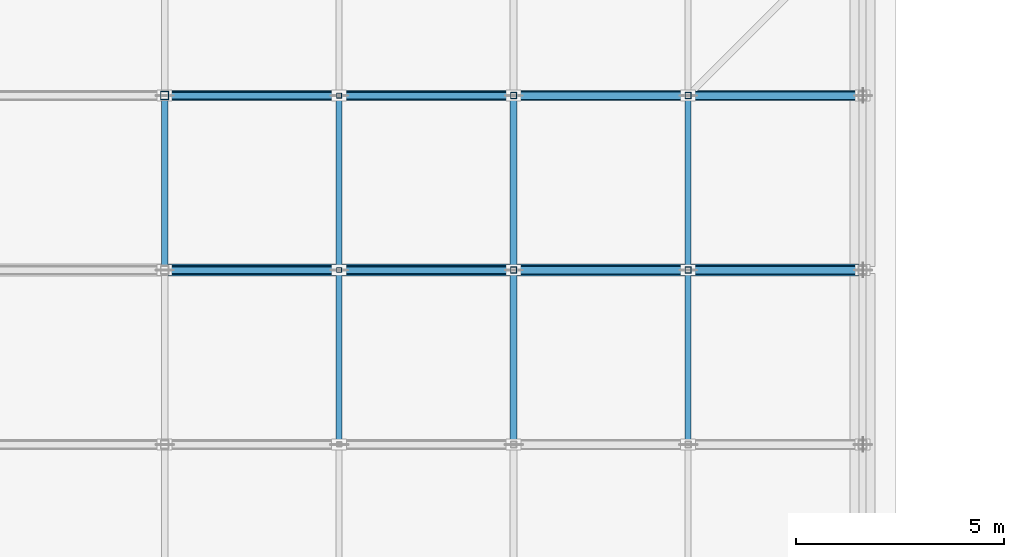
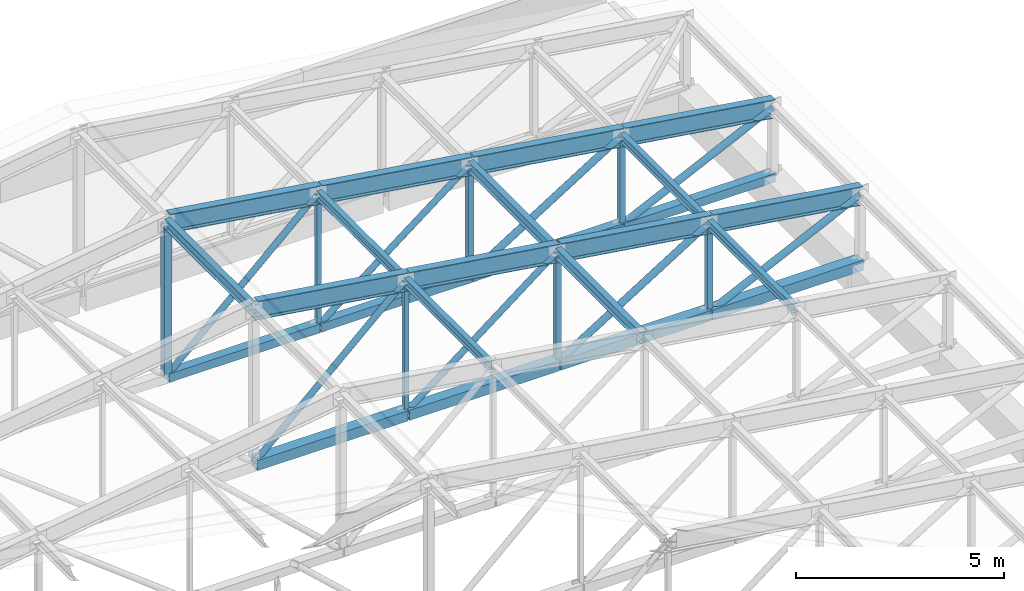
# One storey, part 39 of 122: 38 members.
"""IFC4 building model written with IfcOpenShell, lengths in metres."""

from ifc_helpers import new_model, si_unit, direction, frame, origin, origin_2d, place, context, subcontext, project, spatial, hollow_rectangle, hollow_circle, i_section, extrude, material, material_profile, profile_set, type_object, element, save


model = new_model("IFC4")

# Units and contexts
model_context = context("Model", 3, precision=1e-05, world=origin(), true_north=direction((0.0, 1.0)))
body_context = subcontext(model_context, "Body", "Model", "MODEL_VIEW")
ifc_project = project(units=[si_unit("LENGTHUNIT", "METRE"), si_unit("AREAUNIT", "SQUARE_METRE"), si_unit("VOLUMEUNIT", "CUBIC_METRE"), si_unit("PLANEANGLEUNIT", "RADIAN"), si_unit("MASSUNIT", "GRAM", prefix="KILO")], contexts=[model_context])

# Site, building, storey
site_placement = place(None, origin())
site = spatial("IfcSite", under=ifc_project, at=site_placement, CompositionType="ELEMENT")
building_placement = place(site_placement, origin())
building = spatial("IfcBuilding", under=site, at=building_placement, Name="Telukmera Botanical Conservatory", CompositionType="ELEMENT")
storey_placement = place(building_placement, frame((0.0, 0.0, 10.199951171875)))
storey = spatial("IfcBuildingStorey", under=building, at=storey_placement, Name="L02", CompositionType="ELEMENT", Elevation=10.199951171875)

# Members
ifc_material = material(Name="Steel S355", Category="steel")
ifc_material_profile_1 = material_profile(ifc_material, i_section(OverallWidth=0.210693359375, OverallDepth=0.53955078125, WebThickness=0.01171875, FlangeThickness=0.018798828125, FilletRadius=0.0126953125, at=origin_2d()), Name="UB 533x210x109")
ifc_profile_set_1 = profile_set([ifc_material_profile_1], Name="Steel S355")
member_type_1 = type_object("IfcMemberType", Name="Mem_TC1", PredefinedType="CHORD", material=ifc_profile_set_1)
member_1_placement = place(storey_placement, frame((25.2197265625, 108.39990234375, 4.427734375), z_axis=(0.989022603236, 0.0, -0.147764306545), x_axis=(0.0, 1.0, 0.0)))
element("IfcMember", 1, at=member_1_placement, inside=storey, type_object=member_type_1, Name="Auditorium Pratt Truss Top Chord T7-5", PredefinedType="CHORD", context=body_context, shape_type="SweptSolid", body=[
    extrude(i_section(OverallWidth=0.210693359375, OverallDepth=0.53955078125, WebThickness=0.01171875, FlangeThickness=0.018798828125, FilletRadius=0.0126953125, at=origin_2d()), origin(), (0.0, 0.0, 1.0), 4.20654296875),
])
member_2_placement = place(storey_placement, frame((29.419921875, 108.39990234375, 3.800048828125), z_axis=(0.989021335912, 0.0, -0.147772788805), x_axis=(0.0, 1.0, 0.0)))
element("IfcMember", 2, at=member_2_placement, inside=storey, type_object=member_type_1, Name="Auditorium Pratt Truss Top Chord T7-6", PredefinedType="CHORD", context=body_context, shape_type="SweptSolid", body=[
    extrude(i_section(OverallWidth=0.210693359375, OverallDepth=0.53955078125, WebThickness=0.01171875, FlangeThickness=0.018798828125, FilletRadius=0.0126953125, at=origin_2d()), origin(), (0.0, 0.0, 1.0), 4.206298828125),
])
for number, where, z_axis, x_axis, name in (
    (3, (33.619873046875, 108.39990234375, 3.17236328125), (0.989022603236, 0.0, -0.147764306545), (0.0, 1.0, 0.0), "Auditorium Pratt Truss Top Chord T7-7"),
    (4, (37.81982421875, 108.39990234375, 2.544677734375), (0.989022603236, 0.0, -0.147764306545), (0.0, 1.0, 0.0), "Auditorium Pratt Truss Top Chord T7-8"),
    (5, (25.2197265625, 112.60009765625, 4.427734375), (0.989022603236, 0.0, -0.147764306545), (0.0, 1.0, 0.0), "Auditorium Pratt Truss Top Chord T8-5"),
):
    element("IfcMember", number, at=place(storey_placement, frame(where, z_axis=z_axis, x_axis=x_axis)), inside=storey, type_object=member_type_1, Name=name, PredefinedType="CHORD", context=body_context, shape_type="SweptSolid", body=[
        extrude(i_section(OverallWidth=0.210693359375, OverallDepth=0.53955078125, WebThickness=0.01171875, FlangeThickness=0.018798828125, FilletRadius=0.0126953125, at=origin_2d()), origin(), (0.0, 0.0, 1.0), 4.20654296875),
    ])
member_3_placement = place(storey_placement, frame((29.419921875, 112.60009765625, 3.800048828125), z_axis=(0.989021335912, 0.0, -0.147772788805), x_axis=(0.0, 1.0, 0.0)))
element("IfcMember", 6, at=member_3_placement, inside=storey, type_object=member_type_1, Name="Auditorium Pratt Truss Top Chord T8-6", PredefinedType="CHORD", context=body_context, shape_type="SweptSolid", body=[
    extrude(i_section(OverallWidth=0.210693359375, OverallDepth=0.53955078125, WebThickness=0.01171875, FlangeThickness=0.018798828125, FilletRadius=0.0126953125, at=origin_2d()), origin(), (0.0, 0.0, 1.0), 4.206298828125),
])
for number, where, z_axis, x_axis, name in (
    (7, (33.619873046875, 112.60009765625, 3.17236328125), (0.989022603236, 0.0, -0.147764306545), (0.0, 1.0, 0.0), "Auditorium Pratt Truss Top Chord T8-7"),
    (8, (37.81982421875, 112.60009765625, 2.544677734375), (0.989022603236, 0.0, -0.147764306545), (0.0, 1.0, 0.0), "Auditorium Pratt Truss Top Chord T8-8"),
):
    element("IfcMember", number, at=place(storey_placement, frame(where, z_axis=z_axis, x_axis=x_axis)), inside=storey, type_object=member_type_1, Name=name, PredefinedType="CHORD", context=body_context, shape_type="SweptSolid", body=[
        extrude(i_section(OverallWidth=0.210693359375, OverallDepth=0.53955078125, WebThickness=0.01171875, FlangeThickness=0.018798828125, FilletRadius=0.0126953125, at=origin_2d()), origin(), (0.0, 0.0, 1.0), 4.20654296875),
    ])
ifc_material_profile_2 = material_profile(ifc_material, hollow_rectangle(XDim=0.25, YDim=0.25, WallThickness=0.012451171875, at=origin_2d()), Name="SHS 250x250x12.5")
ifc_profile_set_2 = profile_set([ifc_material_profile_2], Name="Steel S355")
member_type_2 = type_object("IfcMemberType", Name="Mem_TC2", PredefinedType="CHORD", material=ifc_profile_set_2)
member_4_placement = place(storey_placement, frame((25.219970703125, 112.60009765625, -0.079833984375), z_axis=(1.0, 0.0, 0.0), x_axis=(0.0, 1.0, 0.0)))
element("IfcMember", 9, at=member_4_placement, inside=storey, type_object=member_type_2, Name="Auditorium Pratt Truss Bottom Chord T8-5", PredefinedType="CHORD", context=body_context, shape_type="SweptSolid", body=[
    extrude(hollow_rectangle(XDim=0.25, YDim=0.25, WallThickness=0.012451171875, at=origin_2d()), origin(), (0.0, 0.0, 1.0), 4.159912109375),
])
member_5_placement = place(storey_placement, frame((29.419921875, 112.60009765625, -0.079833984375), z_axis=(1.0, 0.0, 0.0), x_axis=(0.0, 1.0, 0.0)))
element("IfcMember", 10, at=member_5_placement, inside=storey, type_object=member_type_2, Name="Auditorium Pratt Truss Bottom Chord T8-6", PredefinedType="CHORD", context=body_context, shape_type="SweptSolid", body=[
    extrude(hollow_rectangle(XDim=0.25, YDim=0.25, WallThickness=0.012451171875, at=origin_2d()), origin(), (0.0, 0.0, 1.0), 4.16015625),
])
member_6_placement = place(storey_placement, frame((33.6201171875, 112.60009765625, -0.079833984375), z_axis=(1.0, 0.0, 0.0), x_axis=(0.0, 1.0, 0.0)))
element("IfcMember", 11, at=member_6_placement, inside=storey, type_object=member_type_2, Name="Auditorium Pratt Truss Bottom Chord T8-7", PredefinedType="CHORD", context=body_context, shape_type="SweptSolid", body=[
    extrude(hollow_rectangle(XDim=0.25, YDim=0.25, WallThickness=0.012451171875, at=origin_2d()), origin(), (0.0, 0.0, 1.0), 4.159912109375),
])
member_7_placement = place(storey_placement, frame((37.820068359375, 112.60009765625, -0.079833984375), z_axis=(1.0, 0.0, 0.0), x_axis=(0.0, 1.0, 0.0)))
element("IfcMember", 12, at=member_7_placement, inside=storey, type_object=member_type_2, Name="Auditorium Pratt Truss Bottom Chord T8-8", PredefinedType="CHORD", context=body_context, shape_type="SweptSolid", body=[
    extrude(hollow_rectangle(XDim=0.25, YDim=0.25, WallThickness=0.012451171875, at=origin_2d()), origin(), (0.0, 0.0, 1.0), 4.179931640625),
])
ifc_material_profile_3 = material_profile(ifc_material, hollow_rectangle(XDim=0.300048828125, YDim=0.300048828125, WallThickness=0.012451171875, at=origin_2d()), Name="SHS 300x300x12.5")
ifc_profile_set_3 = profile_set([ifc_material_profile_3], Name="Steel S355")
member_type_3 = type_object("IfcMemberType", Name="Mem_TC3", PredefinedType="CHORD", material=ifc_profile_set_3)
member_8_placement = place(storey_placement, frame((25.219970703125, 108.39990234375, -0.079833984375), z_axis=(1.0, 0.0, 0.0), x_axis=(0.0, 1.0, 0.0)))
element("IfcMember", 13, at=member_8_placement, inside=storey, type_object=member_type_3, Name="Auditorium Pratt Truss Bottom Chord T7-5", PredefinedType="CHORD", context=body_context, shape_type="SweptSolid", body=[
    extrude(hollow_rectangle(XDim=0.300048828125, YDim=0.300048828125, WallThickness=0.012451171875, at=origin_2d()), origin(), (0.0, 0.0, 1.0), 4.159912109375),
])
member_9_placement = place(storey_placement, frame((29.419921875, 108.39990234375, -0.079833984375), z_axis=(1.0, 0.0, 0.0), x_axis=(0.0, 1.0, 0.0)))
element("IfcMember", 14, at=member_9_placement, inside=storey, type_object=member_type_3, Name="Auditorium Pratt Truss Bottom Chord T7-6", PredefinedType="CHORD", context=body_context, shape_type="SweptSolid", body=[
    extrude(hollow_rectangle(XDim=0.300048828125, YDim=0.300048828125, WallThickness=0.012451171875, at=origin_2d()), origin(), (0.0, 0.0, 1.0), 4.16015625),
])
member_10_placement = place(storey_placement, frame((33.6201171875, 108.39990234375, -0.079833984375), z_axis=(1.0, 0.0, 0.0), x_axis=(0.0, 1.0, 0.0)))
element("IfcMember", 15, at=member_10_placement, inside=storey, type_object=member_type_3, Name="Auditorium Pratt Truss Bottom Chord T7-7", PredefinedType="CHORD", context=body_context, shape_type="SweptSolid", body=[
    extrude(hollow_rectangle(XDim=0.300048828125, YDim=0.300048828125, WallThickness=0.012451171875, at=origin_2d()), origin(), (0.0, 0.0, 1.0), 4.159912109375),
])
member_11_placement = place(storey_placement, frame((37.820068359375, 108.39990234375, -0.079833984375), z_axis=(1.0, 0.0, 0.0), x_axis=(0.0, 1.0, 0.0)))
element("IfcMember", 16, at=member_11_placement, inside=storey, type_object=member_type_3, Name="Auditorium Pratt Truss Bottom Chord T7-8", PredefinedType="CHORD", context=body_context, shape_type="SweptSolid", body=[
    extrude(hollow_rectangle(XDim=0.300048828125, YDim=0.300048828125, WallThickness=0.012451171875, at=origin_2d()), origin(), (0.0, 0.0, 1.0), 4.179931640625),
])
ifc_material_profile_4 = material_profile(ifc_material, hollow_circle(Radius=0.096923828125, WallThickness=0.008056640625, at=origin_2d()), Name="CHS 193.7x8.0")
ifc_profile_set_4 = profile_set([ifc_material_profile_4], Name="Steel S355")
member_type_4 = type_object("IfcMemberType", Name="Mem_TD1", PredefinedType="BRACE", material=ifc_profile_set_4)
member_12_placement = place(storey_placement, frame((33.62548828125, 108.39990234375, -0.06396484375), z_axis=(0.84777122797, 0.0, 0.530362088601), x_axis=(0.0, 1.0, 0.0)))
element("IfcMember", 17, at=member_12_placement, inside=storey, type_object=member_type_4, Name="Auditorium Pratt Truss Web Diagonal T7-D7", PredefinedType="BRACE", context=body_context, shape_type="SweptSolid", body=[
    extrude(hollow_circle(Radius=0.096923828125, WallThickness=0.008056640625, at=origin_2d()), origin(), (0.0, 0.0, 1.0), 4.894287109375),
])
member_13_placement = place(storey_placement, frame((37.8271484375, 108.39990234375, -0.067138671875), z_axis=(0.902843811044, 0.0, 0.429968664973), x_axis=(0.0, 1.0, 0.0)))
element("IfcMember", 18, at=member_13_placement, inside=storey, type_object=member_type_4, Name="Auditorium Pratt Truss Web Diagonal T7-D8", PredefinedType="BRACE", context=body_context, shape_type="SweptSolid", body=[
    extrude(hollow_circle(Radius=0.096923828125, WallThickness=0.008056640625, at=origin_2d()), origin(), (0.0, 0.0, 1.0), 4.591796875),
])
member_14_placement = place(storey_placement, frame((33.62548828125, 112.60009765625, -0.06396484375), z_axis=(0.84777122797, 0.0, 0.530362088601), x_axis=(0.0, 1.0, 0.0)))
element("IfcMember", 19, at=member_14_placement, inside=storey, type_object=member_type_4, Name="Auditorium Pratt Truss Web Diagonal T8-D7", PredefinedType="BRACE", context=body_context, shape_type="SweptSolid", body=[
    extrude(hollow_circle(Radius=0.096923828125, WallThickness=0.008056640625, at=origin_2d()), origin(), (0.0, 0.0, 1.0), 4.894287109375),
])
member_15_placement = place(storey_placement, frame((37.8271484375, 112.60009765625, -0.067138671875), z_axis=(0.902843811044, 0.0, 0.429968664973), x_axis=(0.0, 1.0, 0.0)))
element("IfcMember", 20, at=member_15_placement, inside=storey, type_object=member_type_4, Name="Auditorium Pratt Truss Web Diagonal T8-D8", PredefinedType="BRACE", context=body_context, shape_type="SweptSolid", body=[
    extrude(hollow_circle(Radius=0.096923828125, WallThickness=0.008056640625, at=origin_2d()), origin(), (0.0, 0.0, 1.0), 4.591796875),
])
ifc_material_profile_5 = material_profile(ifc_material, hollow_circle(Radius=0.084228515625, WallThickness=0.008056640625, at=origin_2d()), Name="CHS 168.3x8.0")
ifc_profile_set_5 = profile_set([ifc_material_profile_5], Name="Steel S355")
member_type_5 = type_object("IfcMemberType", Name="Mem_TD2", PredefinedType="BRACE", material=ifc_profile_set_5)
member_16_placement = place(storey_placement, frame((25.221923828125, 108.39990234375, -0.0595703125), z_axis=(0.734277342079, 0.0, 0.678849604044), x_axis=(0.0, 1.0, 0.0)))
element("IfcMember", 21, at=member_16_placement, inside=storey, type_object=member_type_5, Name="Auditorium Pratt Truss Web Diagonal T7-D5", PredefinedType="BRACE", context=body_context, shape_type="SweptSolid", body=[
    extrude(hollow_circle(Radius=0.084228515625, WallThickness=0.008056640625, at=origin_2d()), origin(), (0.0, 0.0, 1.0), 5.659912109375),
])
member_17_placement = place(storey_placement, frame((29.423583984375, 108.39990234375, -0.0615234375), z_axis=(0.790409427435, 0.0, 0.612578923097), x_axis=(0.0, 1.0, 0.0)))
element("IfcMember", 22, at=member_17_placement, inside=storey, type_object=member_type_5, Name="Auditorium Pratt Truss Web Diagonal T7-D6", PredefinedType="BRACE", context=body_context, shape_type="SweptSolid", body=[
    extrude(hollow_circle(Radius=0.084228515625, WallThickness=0.008056640625, at=origin_2d()), origin(), (0.0, 0.0, 1.0), 5.25390625),
])
member_18_placement = place(storey_placement, frame((25.221923828125, 112.60009765625, -0.0595703125), z_axis=(0.734277342079, 0.0, 0.678849604044), x_axis=(0.0, 1.0, 0.0)))
element("IfcMember", 23, at=member_18_placement, inside=storey, type_object=member_type_5, Name="Auditorium Pratt Truss Web Diagonal T8-D5", PredefinedType="BRACE", context=body_context, shape_type="SweptSolid", body=[
    extrude(hollow_circle(Radius=0.084228515625, WallThickness=0.008056640625, at=origin_2d()), origin(), (0.0, 0.0, 1.0), 5.659912109375),
])
member_19_placement = place(storey_placement, frame((29.423583984375, 112.60009765625, -0.0615234375), z_axis=(0.790409427435, 0.0, 0.612578923097), x_axis=(0.0, 1.0, 0.0)))
element("IfcMember", 24, at=member_19_placement, inside=storey, type_object=member_type_5, Name="Auditorium Pratt Truss Web Diagonal T8-D6", PredefinedType="BRACE", context=body_context, shape_type="SweptSolid", body=[
    extrude(hollow_circle(Radius=0.084228515625, WallThickness=0.008056640625, at=origin_2d()), origin(), (0.0, 0.0, 1.0), 5.25390625),
])
ifc_material_profile_6 = material_profile(ifc_material, i_section(OverallWidth=0.165771484375, OverallDepth=0.306640625, WebThickness=0.006591796875, FlangeThickness=0.01171875, FilletRadius=0.0087890625, at=origin_2d()), Name="UB 305x165x46")
ifc_profile_set_6 = profile_set([ifc_material_profile_6], Name="Steel S355")
member_type_6 = type_object("IfcMemberType", Name="Mem_TPB1", PredefinedType="PURLIN", material=ifc_profile_set_6)
for number, where, z_axis, x_axis, name in (
    (25, (33.60009765625, 104.260009765625, 3.175537109375), (0.0, 1.0, 0.0), (-1.0, 0.0, 0.0), "Auditorium Roof Steel Purlin P6-6"),
    (26, (25.199951171875, 108.4599609375, 4.430908203125), (0.0, 1.0, 0.0), (-1.0, 0.0, 0.0), "Auditorium Roof Steel Purlin P7-4"),
    (27, (33.60009765625, 108.4599609375, 3.175537109375), (0.0, 1.0, 0.0), (-1.0, 0.0, 0.0), "Auditorium Roof Steel Purlin P7-6"),
):
    element("IfcMember", number, at=place(storey_placement, frame(where, z_axis=z_axis, x_axis=x_axis)), inside=storey, type_object=member_type_6, Name=name, PredefinedType="PURLIN", context=body_context, shape_type="SweptSolid", body=[
        extrude(i_section(OverallWidth=0.165771484375, OverallDepth=0.306640625, WebThickness=0.006591796875, FlangeThickness=0.01171875, FilletRadius=0.0087890625, at=origin_2d()), origin(), (0.0, 0.0, 1.0), 4.080078125),
    ])
ifc_material_profile_7 = material_profile(ifc_material, i_section(OverallWidth=0.146484375, OverallDepth=0.256103515625, WebThickness=0.00634765625, FlangeThickness=0.010986328125, FilletRadius=0.007568359375, at=origin_2d()), Name="UB 254x146x37")
ifc_profile_set_7 = profile_set([ifc_material_profile_7], Name="Steel S355")
member_type_7 = type_object("IfcMemberType", Name="Mem_TPB2", PredefinedType="PURLIN", material=ifc_profile_set_7)
for number, where, z_axis, x_axis, name in (
    (28, (29.39990234375, 104.260009765625, 3.80322265625), (0.0, 1.0, 0.0), (-1.0, 0.0, 0.0), "Auditorium Roof Steel Purlin P6-5"),
    (29, (37.800048828125, 104.260009765625, 2.5478515625), (0.0, 1.0, 0.0), (-1.0, 0.0, 0.0), "Auditorium Roof Steel Purlin P6-7"),
    (30, (29.39990234375, 108.4599609375, 3.80322265625), (0.0, 1.0, 0.0), (-1.0, 0.0, 0.0), "Auditorium Roof Steel Purlin P7-5"),
    (31, (37.800048828125, 108.4599609375, 2.5478515625), (0.0, 1.0, 0.0), (-1.0, 0.0, 0.0), "Auditorium Roof Steel Purlin P7-7"),
):
    element("IfcMember", number, at=place(storey_placement, frame(where, z_axis=z_axis, x_axis=x_axis)), inside=storey, type_object=member_type_7, Name=name, PredefinedType="PURLIN", context=body_context, shape_type="SweptSolid", body=[
        extrude(i_section(OverallWidth=0.146484375, OverallDepth=0.256103515625, WebThickness=0.00634765625, FlangeThickness=0.010986328125, FilletRadius=0.007568359375, at=origin_2d()), origin(), (0.0, 0.0, 1.0), 4.080078125),
    ])
ifc_material_profile_8 = material_profile(ifc_material, hollow_rectangle(XDim=0.199951171875, YDim=0.199951171875, WallThickness=0.010009765625, at=origin_2d()), Name="SHS 200x200x10.0")
ifc_profile_set_8 = profile_set([ifc_material_profile_8], Name="Steel S355")
member_type_8 = type_object("IfcMemberType", Name="Mem_TV1", PredefinedType="POST", material=ifc_profile_set_8)
member_20_placement = place(storey_placement, frame((25.199951171875, 112.60009765625, -0.06005859375), z_axis=(0.0, 0.0, 1.0), x_axis=(1.0, 0.0, 0.0)))
element("IfcMember", 32, at=member_20_placement, inside=storey, type_object=member_type_8, Name="Auditorium Pratt Truss Vertical T8-V4", PredefinedType="POST", context=body_context, shape_type="SweptSolid", body=[
    extrude(hollow_rectangle(XDim=0.199951171875, YDim=0.199951171875, WallThickness=0.010009765625, at=origin_2d()), origin(), (0.0, 0.0, 1.0), 4.470947265625),
])
ifc_material_profile_9 = material_profile(ifc_material, hollow_rectangle(XDim=0.14990234375, YDim=0.14990234375, WallThickness=0.008056640625, at=origin_2d()), Name="SHS 150x150x8.0")
ifc_profile_set_9 = profile_set([ifc_material_profile_9], Name="Steel S355")
member_type_9 = type_object("IfcMemberType", Name="Mem_TV2", PredefinedType="POST", material=ifc_profile_set_9)
member_21_placement = place(storey_placement, frame((33.60009765625, 108.39990234375, -0.06005859375), z_axis=(0.0, 0.0, 1.0), x_axis=(1.0, 0.0, 0.0)))
element("IfcMember", 33, at=member_21_placement, inside=storey, type_object=member_type_9, Name="Auditorium Pratt Truss Vertical T7-V6", PredefinedType="POST", context=body_context, shape_type="SweptSolid", body=[
    extrude(hollow_rectangle(XDim=0.14990234375, YDim=0.14990234375, WallThickness=0.008056640625, at=origin_2d()), origin(), (0.0, 0.0, 1.0), 3.215576171875),
])
member_22_placement = place(storey_placement, frame((37.800048828125, 108.39990234375, -0.06005859375), z_axis=(0.0, 0.0, 1.0), x_axis=(1.0, 0.0, 0.0)))
element("IfcMember", 34, at=member_22_placement, inside=storey, type_object=member_type_9, Name="Auditorium Pratt Truss Vertical T7-V7", PredefinedType="POST", context=body_context, shape_type="SweptSolid", body=[
    extrude(hollow_rectangle(XDim=0.14990234375, YDim=0.14990234375, WallThickness=0.008056640625, at=origin_2d()), origin(), (0.0, 0.0, 1.0), 2.587890625),
])
member_23_placement = place(storey_placement, frame((33.60009765625, 112.60009765625, -0.06005859375), z_axis=(0.0, 0.0, 1.0), x_axis=(1.0, 0.0, 0.0)))
element("IfcMember", 35, at=member_23_placement, inside=storey, type_object=member_type_9, Name="Auditorium Pratt Truss Vertical T8-V6", PredefinedType="POST", context=body_context, shape_type="SweptSolid", body=[
    extrude(hollow_rectangle(XDim=0.14990234375, YDim=0.14990234375, WallThickness=0.008056640625, at=origin_2d()), origin(), (0.0, 0.0, 1.0), 3.215576171875),
])
member_24_placement = place(storey_placement, frame((37.800048828125, 112.60009765625, -0.06005859375), z_axis=(0.0, 0.0, 1.0), x_axis=(1.0, 0.0, 0.0)))
element("IfcMember", 36, at=member_24_placement, inside=storey, type_object=member_type_9, Name="Auditorium Pratt Truss Vertical T8-V7", PredefinedType="POST", context=body_context, shape_type="SweptSolid", body=[
    extrude(hollow_rectangle(XDim=0.14990234375, YDim=0.14990234375, WallThickness=0.008056640625, at=origin_2d()), origin(), (0.0, 0.0, 1.0), 2.587890625),
])
ifc_material_profile_10 = material_profile(ifc_material, hollow_rectangle(XDim=0.1201171875, YDim=0.1201171875, WallThickness=0.00634765625, at=origin_2d()), Name="SHS 120x120x6.3")
ifc_profile_set_10 = profile_set([ifc_material_profile_10], Name="Steel S355")
member_type_10 = type_object("IfcMemberType", Name="Mem_TV3", PredefinedType="POST", material=ifc_profile_set_10)
for number, where, z_axis, x_axis, name in (
    (37, (29.39990234375, 108.39990234375, -0.06005859375), (0.0, 0.0, 1.0), (1.0, 0.0, 0.0), "Auditorium Pratt Truss Vertical T7-V5"),
    (38, (29.39990234375, 112.60009765625, -0.06005859375), (0.0, 0.0, 1.0), (1.0, 0.0, 0.0), "Auditorium Pratt Truss Vertical T8-V5"),
):
    element("IfcMember", number, at=place(storey_placement, frame(where, z_axis=z_axis, x_axis=x_axis)), inside=storey, type_object=member_type_10, Name=name, PredefinedType="POST", context=body_context, shape_type="SweptSolid", body=[
        extrude(hollow_rectangle(XDim=0.1201171875, YDim=0.1201171875, WallThickness=0.00634765625, at=origin_2d()), origin(), (0.0, 0.0, 1.0), 3.84326171875),
    ])

save(model, "model.ifc")
